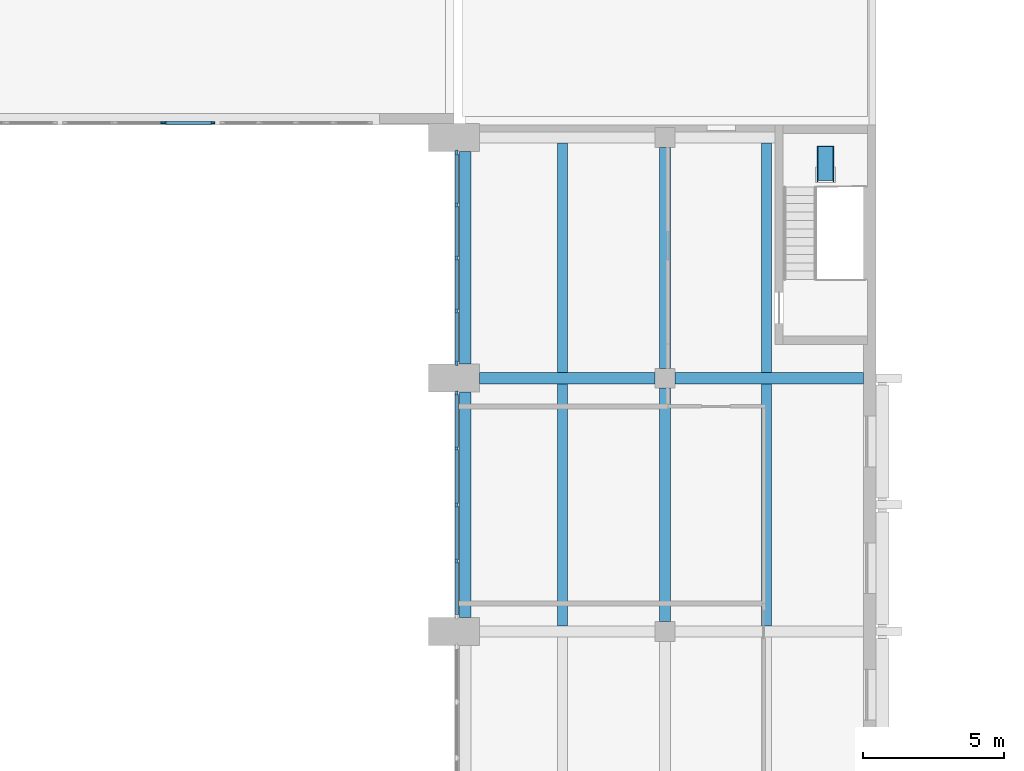
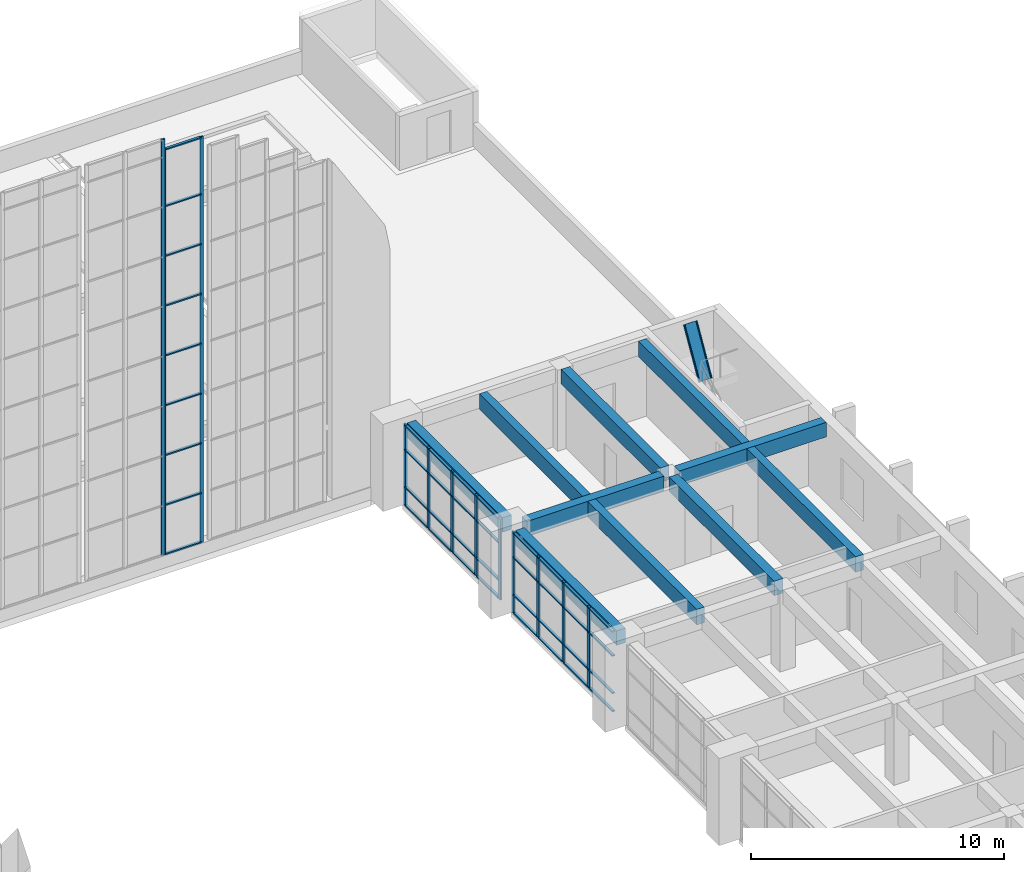
# One storey, part 17 of 43: 54 members, 10 beams, 4 elements without a shape of their own.
"""IFC4 building model written with IfcOpenShell, lengths in metres."""

from ifc_helpers import new_model, si_unit, direction, frame, origin, origin_2d, place, context, subcontext, project, spatial, polyline, rectangle, outline, extrude, material, material_profile, profile_set, type_object, element, aggregate, save


model = new_model("IFC4")

# Units and contexts
model_context = context("Model", 3, precision=1e-05, world=origin(), true_north=direction((0.0, 1.0)))
body_context = subcontext(model_context, "Body", "Model", "MODEL_VIEW")
ifc_project = project(units=[si_unit("LENGTHUNIT", "METRE"), si_unit("AREAUNIT", "SQUARE_METRE"), si_unit("VOLUMEUNIT", "CUBIC_METRE"), si_unit("PLANEANGLEUNIT", "RADIAN"), si_unit("MASSUNIT", "GRAM", prefix="KILO")], contexts=[model_context])

# Site, building, storey
site_placement = place(None, origin())
site = spatial("IfcSite", under=ifc_project, at=site_placement, CompositionType="ELEMENT")
building_placement = place(site_placement, origin())
building = spatial("IfcBuilding", under=site, at=building_placement, Name="Elmora Arch Market Hall", CompositionType="ELEMENT")
storey_placement = place(building_placement, frame((0.0, 0.0, 10.199951171875)))
storey = spatial("IfcBuildingStorey", under=building, at=storey_placement, Name="L02", CompositionType="ELEMENT", Elevation=10.199951171875)

# Curtain wall, member
ifc_material_1 = material(Name="Aluminium", Category="aluminium")
curtain_wall_type_1 = type_object("IfcCurtainWallType", Name="Gable curtain wall", PredefinedType="NOTDEFINED", material=ifc_material_1)
curtain_wall_1_placement = place(storey_placement, origin())
curtain_wall_1 = element("IfcCurtainWall", 1, at=curtain_wall_1_placement, inside=storey, type_object=curtain_wall_type_1, Name="North gable glazing 9", PredefinedType="NOTDEFINED")
ifc_material_2 = material(Name="Aluminium", Category="aluminium")
ifc_material_profile_1 = material_profile(ifc_material_2, rectangle(XDim=0.06005859375, YDim=0.159912109375, at=origin_2d()), Name="AL 60x160")
ifc_profile_set_1 = profile_set([ifc_material_profile_1], Name="Aluminium")
member_type_1 = type_object("IfcMemberType", Name="Mullion 60x160", PredefinedType="MULLION", material=ifc_profile_set_1)
member_1_placement = place(storey_placement, frame((32.6533203125, 99.080078125, 0.60009765625), z_axis=(0.0, 0.0, 1.0), x_axis=(0.0, 1.0, 0.0)))
member_1 = element("IfcMember", 2, at=member_1_placement, type_object=member_type_1, Name="CW8 mullion 2", PredefinedType="MULLION", context=body_context, shape_type="SweptSolid", body=[
    extrude(rectangle(XDim=0.06005859375, YDim=0.159912109375, at=origin_2d()), origin(), (0.0, 0.0, 1.0), 20.050048828125),
])
aggregate(curtain_wall_1, [member_1])

# Curtain wall, members
curtain_wall_2_placement = place(storey_placement, origin())
curtain_wall_2 = element("IfcCurtainWall", 3, at=curtain_wall_2_placement, inside=storey, type_object=curtain_wall_type_1, Name="North gable glazing 10", PredefinedType="NOTDEFINED")
member_2_placement = place(storey_placement, frame((32.71337890625, 99.080078125, 0.60009765625), z_axis=(0.0, 0.0, 1.0), x_axis=(0.0, 1.0, 0.0)))
member_2 = element("IfcMember", 4, at=member_2_placement, type_object=member_type_1, Name="CW8 mullion 1", PredefinedType="MULLION", context=body_context, shape_type="SweptSolid", body=[
    extrude(rectangle(XDim=0.06005859375, YDim=0.159912109375, at=origin_2d()), origin(), (0.0, 0.0, 1.0), 19.557861328125),
])
member_3_placement = place(storey_placement, frame((34.419921875, 99.080078125, 0.60009765625), z_axis=(0.0, 0.0, 1.0), x_axis=(0.0, 1.0, 0.0)))
member_3 = element("IfcMember", 5, at=member_3_placement, type_object=member_type_1, Name="CW8 mullion 2", PredefinedType="MULLION", context=body_context, shape_type="SweptSolid", body=[
    extrude(rectangle(XDim=0.06005859375, YDim=0.159912109375, at=origin_2d()), origin(), (0.0, 0.0, 1.0), 19.557861328125),
])

ifc_material_3 = material(Name="Aluminium", Category="aluminium")
curtain_wall_type_2 = type_object("IfcCurtainWallType", Name="Hall front curtain wall", PredefinedType="NOTDEFINED", material=ifc_material_3)
curtain_wall_3_placement = place(storey_placement, origin())
curtain_wall_3 = element("IfcCurtainWall", 6, at=curtain_wall_3_placement, inside=storey, type_object=curtain_wall_type_2, Name="Wing front E L02 7", PredefinedType="NOTDEFINED")
ifc_material_4 = material(Name="Aluminium", Category="aluminium")
ifc_material_profile_2 = material_profile(ifc_material_4, rectangle(XDim=0.080078125, YDim=0.179931640625, at=origin_2d()), Name="AL 80x180")
ifc_profile_set_2 = profile_set([ifc_material_profile_2], Name="Aluminium")
member_type_2 = type_object("IfcMemberType", Name="Mullion 80x180", PredefinedType="MULLION", material=ifc_profile_set_2)
member_4_placement = place(storey_placement, frame((43.10009765625, 83.5, 0.0), z_axis=(0.0, 0.0, 1.0), x_axis=(-1.0, 0.0, 0.0)))
member_4 = element("IfcMember", 7, at=member_4_placement, type_object=member_type_2, Name="CW2 mullion 2", PredefinedType="MULLION", context=body_context, shape_type="SweptSolid", body=[
    extrude(rectangle(XDim=0.080078125, YDim=0.179931640625, at=origin_2d()), origin(), (0.0, 0.0, 1.0), 3.900146484375),
])
member_5_placement = place(storey_placement, frame((43.10009765625, 85.5, 0.0), z_axis=(0.0, 0.0, 1.0), x_axis=(-1.0, 0.0, 0.0)))
member_5 = element("IfcMember", 8, at=member_5_placement, type_object=member_type_2, Name="CW2 mullion 3", PredefinedType="MULLION", context=body_context, shape_type="SweptSolid", body=[
    extrude(rectangle(XDim=0.080078125, YDim=0.179931640625, at=origin_2d()), origin(), (0.0, 0.0, 1.0), 3.900146484375),
])
member_6_placement = place(storey_placement, frame((43.10009765625, 87.5, 0.0), z_axis=(0.0, 0.0, 1.0), x_axis=(-1.0, 0.0, 0.0)))
member_6 = element("IfcMember", 9, at=member_6_placement, type_object=member_type_2, Name="CW2 mullion 4", PredefinedType="MULLION", context=body_context, shape_type="SweptSolid", body=[
    extrude(rectangle(XDim=0.080078125, YDim=0.179931640625, at=origin_2d()), origin(), (0.0, 0.0, 1.0), 3.900146484375),
])
member_7_placement = place(storey_placement, frame((43.10009765625, 89.4599609375, 0.0), z_axis=(0.0, 0.0, 1.0), x_axis=(-1.0, 0.0, 0.0)))
member_7 = element("IfcMember", 10, at=member_7_placement, type_object=member_type_2, Name="CW2 mullion 5", PredefinedType="MULLION", context=body_context, shape_type="SweptSolid", body=[
    extrude(rectangle(XDim=0.080078125, YDim=0.179931640625, at=origin_2d()), origin(), (0.0, 0.0, 1.0), 3.900146484375),
])

curtain_wall_4_placement = place(storey_placement, origin())
curtain_wall_4 = element("IfcCurtainWall", 11, at=curtain_wall_4_placement, inside=storey, type_object=curtain_wall_type_2, Name="Wing front E L02 8", PredefinedType="NOTDEFINED")
member_8_placement = place(storey_placement, frame((43.10009765625, 90.5400390625, 0.0), z_axis=(0.0, 0.0, 1.0), x_axis=(-1.0, 0.0, 0.0)))
member_8 = element("IfcMember", 12, at=member_8_placement, type_object=member_type_2, Name="CW2 mullion 1", PredefinedType="MULLION", context=body_context, shape_type="SweptSolid", body=[
    extrude(rectangle(XDim=0.080078125, YDim=0.179931640625, at=origin_2d()), origin(), (0.0, 0.0, 1.0), 3.900146484375),
])
member_9_placement = place(storey_placement, frame((43.10009765625, 92.387451171875, 0.0), z_axis=(0.0, 0.0, 1.0), x_axis=(-1.0, 0.0, 0.0)))
member_9 = element("IfcMember", 13, at=member_9_placement, type_object=member_type_2, Name="CW2 mullion 2", PredefinedType="MULLION", context=body_context, shape_type="SweptSolid", body=[
    extrude(rectangle(XDim=0.080078125, YDim=0.179931640625, at=origin_2d()), origin(), (0.0, 0.0, 1.0), 3.900146484375),
])
member_10_placement = place(storey_placement, frame((43.10009765625, 94.27490234375, 0.0), z_axis=(0.0, 0.0, 1.0), x_axis=(-1.0, 0.0, 0.0)))
member_10 = element("IfcMember", 14, at=member_10_placement, type_object=member_type_2, Name="CW2 mullion 3", PredefinedType="MULLION", context=body_context, shape_type="SweptSolid", body=[
    extrude(rectangle(XDim=0.080078125, YDim=0.179931640625, at=origin_2d()), origin(), (0.0, 0.0, 1.0), 3.900146484375),
])
member_11_placement = place(storey_placement, frame((43.10009765625, 96.16259765625, 0.0), z_axis=(0.0, 0.0, 1.0), x_axis=(-1.0, 0.0, 0.0)))
member_11 = element("IfcMember", 15, at=member_11_placement, type_object=member_type_2, Name="CW2 mullion 4", PredefinedType="MULLION", context=body_context, shape_type="SweptSolid", body=[
    extrude(rectangle(XDim=0.080078125, YDim=0.179931640625, at=origin_2d()), origin(), (0.0, 0.0, 1.0), 3.900146484375),
])
member_12_placement = place(storey_placement, frame((43.10009765625, 98.010009765625, 0.0), z_axis=(0.0, 0.0, 1.0), x_axis=(-1.0, 0.0, 0.0)))
member_12 = element("IfcMember", 16, at=member_12_placement, type_object=member_type_2, Name="CW2 mullion 5", PredefinedType="MULLION", context=body_context, shape_type="SweptSolid", body=[
    extrude(rectangle(XDim=0.080078125, YDim=0.179931640625, at=origin_2d()), origin(), (0.0, 0.0, 1.0), 3.900146484375),
])

# Member
ifc_material_5 = material(Name="Steel ASTM A500 Gr C", Category="steel")
ifc_material_profile_3 = material_profile(ifc_material_5, outline(polyline([(-0.300048828125, 0.0), (0.300048828125, 0.0), (0.300048828125, 0.10009765625), (0.260009765625, 0.10009765625), (0.260009765625, 0.02001953125), (-0.260009765625, 0.02001953125), (-0.260009765625, 0.10009765625), (-0.300048828125, 0.10009765625), (-0.300048828125, 0.0)])), Name="Ladder channel 600 x 100")
ifc_profile_set_3 = profile_set([ifc_material_profile_3], Name="Steel ASTM A500 Gr C")
member_type_3 = type_object("IfcMemberType", Name="Roof access ladder 600", PredefinedType="USERDEFINED", material=ifc_profile_set_3)
member_13_placement = place(storey_placement, frame((56.199951171875, 97.050048828125, 2.0), z_axis=(0.0, 0.505154929863, 0.863028676716), x_axis=(-1.0, 0.0, 0.0)))
element("IfcMember", 17, at=member_13_placement, inside=storey, type_object=member_type_3, Name="Roof access ladder ST-EN", ObjectType="ROOF ACCESS LADDER", PredefinedType="USERDEFINED", context=body_context, shape_type="SweptSolid", body=[
    extrude(outline(polyline([(-0.300048828125, 0.0), (0.300048828125, 0.0), (0.300048828125, 0.10009765625), (0.260009765625, 0.10009765625), (0.260009765625, 0.02001953125), (-0.260009765625, 0.02001953125), (-0.260009765625, 0.10009765625), (-0.300048828125, 0.10009765625), (-0.300048828125, 0.0)])), origin(), (0.0, 0.0, 1.0), 2.37548828125),
])

ifc_material_6 = material(Name="Aluminium", Category="aluminium")
ifc_material_profile_4 = material_profile(ifc_material_6, rectangle(XDim=0.1201171875, YDim=0.06005859375, at=origin_2d()), Name="AL 120x60")
ifc_profile_set_4 = profile_set([ifc_material_profile_4], Name="Aluminium")
member_type_4 = type_object("IfcMemberType", Name="Transom 120x60", PredefinedType="USERDEFINED", material=ifc_profile_set_4)
member_14_placement = place(storey_placement, frame((43.10009765625, 81.580078125, 0.030029296875), z_axis=(0.0, 1.0, 0.0), x_axis=(-1.0, 0.0, 0.0)))
member_14 = element("IfcMember", 18, at=member_14_placement, type_object=member_type_4, Name="CW2 transom 1.1", ObjectType="TRANSOM", PredefinedType="USERDEFINED", context=body_context, shape_type="SweptSolid", body=[
    extrude(rectangle(XDim=0.1201171875, YDim=0.06005859375, at=origin_2d()), origin(), (0.0, 0.0, 1.0), 1.8798828125),
])

member_15_placement = place(storey_placement, frame((43.10009765625, 81.580078125, 0.900146484375), z_axis=(0.0, 1.0, 0.0), x_axis=(-1.0, 0.0, 0.0)))
member_15 = element("IfcMember", 19, at=member_15_placement, type_object=member_type_4, Name="CW2 transom 1.2", ObjectType="TRANSOM", PredefinedType="USERDEFINED", context=body_context, shape_type="SweptSolid", body=[
    extrude(rectangle(XDim=0.1201171875, YDim=0.06005859375, at=origin_2d()), origin(), (0.0, 0.0, 1.0), 1.8798828125),
])

member_16_placement = place(storey_placement, frame((43.10009765625, 81.580078125, 2.699951171875), z_axis=(0.0, 1.0, 0.0), x_axis=(-1.0, 0.0, 0.0)))
member_16 = element("IfcMember", 20, at=member_16_placement, type_object=member_type_4, Name="CW2 transom 1.3", ObjectType="TRANSOM", PredefinedType="USERDEFINED", context=body_context, shape_type="SweptSolid", body=[
    extrude(rectangle(XDim=0.1201171875, YDim=0.06005859375, at=origin_2d()), origin(), (0.0, 0.0, 1.0), 1.8798828125),
])

member_17_placement = place(storey_placement, frame((43.10009765625, 81.580078125, 3.8701171875), z_axis=(0.0, 1.0, 0.0), x_axis=(-1.0, 0.0, 0.0)))
member_17 = element("IfcMember", 21, at=member_17_placement, type_object=member_type_4, Name="CW2 transom 1.4", ObjectType="TRANSOM", PredefinedType="USERDEFINED", context=body_context, shape_type="SweptSolid", body=[
    extrude(rectangle(XDim=0.1201171875, YDim=0.06005859375, at=origin_2d()), origin(), (0.0, 0.0, 1.0), 1.8798828125),
])

member_18_placement = place(storey_placement, frame((43.10009765625, 83.5400390625, 0.030029296875), z_axis=(0.0, 1.0, 0.0), x_axis=(-1.0, 0.0, 0.0)))
member_18 = element("IfcMember", 22, at=member_18_placement, type_object=member_type_4, Name="CW2 transom 2.1", ObjectType="TRANSOM", PredefinedType="USERDEFINED", context=body_context, shape_type="SweptSolid", body=[
    extrude(rectangle(XDim=0.1201171875, YDim=0.06005859375, at=origin_2d()), origin(), (0.0, 0.0, 1.0), 1.919921875),
])

member_19_placement = place(storey_placement, frame((43.10009765625, 83.5400390625, 0.900146484375), z_axis=(0.0, 1.0, 0.0), x_axis=(-1.0, 0.0, 0.0)))
member_19 = element("IfcMember", 23, at=member_19_placement, type_object=member_type_4, Name="CW2 transom 2.2", ObjectType="TRANSOM", PredefinedType="USERDEFINED", context=body_context, shape_type="SweptSolid", body=[
    extrude(rectangle(XDim=0.1201171875, YDim=0.06005859375, at=origin_2d()), origin(), (0.0, 0.0, 1.0), 1.919921875),
])

member_20_placement = place(storey_placement, frame((43.10009765625, 83.5400390625, 2.699951171875), z_axis=(0.0, 1.0, 0.0), x_axis=(-1.0, 0.0, 0.0)))
member_20 = element("IfcMember", 24, at=member_20_placement, type_object=member_type_4, Name="CW2 transom 2.3", ObjectType="TRANSOM", PredefinedType="USERDEFINED", context=body_context, shape_type="SweptSolid", body=[
    extrude(rectangle(XDim=0.1201171875, YDim=0.06005859375, at=origin_2d()), origin(), (0.0, 0.0, 1.0), 1.919921875),
])

member_21_placement = place(storey_placement, frame((43.10009765625, 83.5400390625, 3.8701171875), z_axis=(0.0, 1.0, 0.0), x_axis=(-1.0, 0.0, 0.0)))
member_21 = element("IfcMember", 25, at=member_21_placement, type_object=member_type_4, Name="CW2 transom 2.4", ObjectType="TRANSOM", PredefinedType="USERDEFINED", context=body_context, shape_type="SweptSolid", body=[
    extrude(rectangle(XDim=0.1201171875, YDim=0.06005859375, at=origin_2d()), origin(), (0.0, 0.0, 1.0), 1.919921875),
])

member_22_placement = place(storey_placement, frame((43.10009765625, 85.5400390625, 0.030029296875), z_axis=(0.0, 1.0, 0.0), x_axis=(-1.0, 0.0, 0.0)))
member_22 = element("IfcMember", 26, at=member_22_placement, type_object=member_type_4, Name="CW2 transom 3.1", ObjectType="TRANSOM", PredefinedType="USERDEFINED", context=body_context, shape_type="SweptSolid", body=[
    extrude(rectangle(XDim=0.1201171875, YDim=0.06005859375, at=origin_2d()), origin(), (0.0, 0.0, 1.0), 1.919921875),
])

member_23_placement = place(storey_placement, frame((43.10009765625, 85.5400390625, 0.900146484375), z_axis=(0.0, 1.0, 0.0), x_axis=(-1.0, 0.0, 0.0)))
member_23 = element("IfcMember", 27, at=member_23_placement, type_object=member_type_4, Name="CW2 transom 3.2", ObjectType="TRANSOM", PredefinedType="USERDEFINED", context=body_context, shape_type="SweptSolid", body=[
    extrude(rectangle(XDim=0.1201171875, YDim=0.06005859375, at=origin_2d()), origin(), (0.0, 0.0, 1.0), 1.919921875),
])

member_24_placement = place(storey_placement, frame((43.10009765625, 85.5400390625, 2.699951171875), z_axis=(0.0, 1.0, 0.0), x_axis=(-1.0, 0.0, 0.0)))
member_24 = element("IfcMember", 28, at=member_24_placement, type_object=member_type_4, Name="CW2 transom 3.3", ObjectType="TRANSOM", PredefinedType="USERDEFINED", context=body_context, shape_type="SweptSolid", body=[
    extrude(rectangle(XDim=0.1201171875, YDim=0.06005859375, at=origin_2d()), origin(), (0.0, 0.0, 1.0), 1.919921875),
])

member_25_placement = place(storey_placement, frame((43.10009765625, 85.5400390625, 3.8701171875), z_axis=(0.0, 1.0, 0.0), x_axis=(-1.0, 0.0, 0.0)))
member_25 = element("IfcMember", 29, at=member_25_placement, type_object=member_type_4, Name="CW2 transom 3.4", ObjectType="TRANSOM", PredefinedType="USERDEFINED", context=body_context, shape_type="SweptSolid", body=[
    extrude(rectangle(XDim=0.1201171875, YDim=0.06005859375, at=origin_2d()), origin(), (0.0, 0.0, 1.0), 1.919921875),
])

member_26_placement = place(storey_placement, frame((43.10009765625, 87.5400390625, 0.030029296875), z_axis=(0.0, 1.0, 0.0), x_axis=(-1.0, 0.0, 0.0)))
member_26 = element("IfcMember", 30, at=member_26_placement, type_object=member_type_4, Name="CW2 transom 4.1", ObjectType="TRANSOM", PredefinedType="USERDEFINED", context=body_context, shape_type="SweptSolid", body=[
    extrude(rectangle(XDim=0.1201171875, YDim=0.06005859375, at=origin_2d()), origin(), (0.0, 0.0, 1.0), 1.8798828125),
])

member_27_placement = place(storey_placement, frame((43.10009765625, 87.5400390625, 0.900146484375), z_axis=(0.0, 1.0, 0.0), x_axis=(-1.0, 0.0, 0.0)))
member_27 = element("IfcMember", 31, at=member_27_placement, type_object=member_type_4, Name="CW2 transom 4.2", ObjectType="TRANSOM", PredefinedType="USERDEFINED", context=body_context, shape_type="SweptSolid", body=[
    extrude(rectangle(XDim=0.1201171875, YDim=0.06005859375, at=origin_2d()), origin(), (0.0, 0.0, 1.0), 1.8798828125),
])

member_28_placement = place(storey_placement, frame((43.10009765625, 87.5400390625, 2.699951171875), z_axis=(0.0, 1.0, 0.0), x_axis=(-1.0, 0.0, 0.0)))
member_28 = element("IfcMember", 32, at=member_28_placement, type_object=member_type_4, Name="CW2 transom 4.3", ObjectType="TRANSOM", PredefinedType="USERDEFINED", context=body_context, shape_type="SweptSolid", body=[
    extrude(rectangle(XDim=0.1201171875, YDim=0.06005859375, at=origin_2d()), origin(), (0.0, 0.0, 1.0), 1.8798828125),
])

member_29_placement = place(storey_placement, frame((43.10009765625, 87.5400390625, 3.8701171875), z_axis=(0.0, 1.0, 0.0), x_axis=(-1.0, 0.0, 0.0)))
member_29 = element("IfcMember", 33, at=member_29_placement, type_object=member_type_4, Name="CW2 transom 4.4", ObjectType="TRANSOM", PredefinedType="USERDEFINED", context=body_context, shape_type="SweptSolid", body=[
    extrude(rectangle(XDim=0.1201171875, YDim=0.06005859375, at=origin_2d()), origin(), (0.0, 0.0, 1.0), 1.8798828125),
])

aggregate(curtain_wall_3, [member_4, member_5, member_6, member_7, member_14, member_15, member_16, member_17, member_18, member_19, member_20, member_21, member_22, member_23, member_24, member_25, member_26, member_27, member_28, member_29])

member_30_placement = place(storey_placement, frame((43.10009765625, 90.580078125, 0.030029296875), z_axis=(0.0, 1.0, 0.0), x_axis=(-1.0, 0.0, 0.0)))
member_30 = element("IfcMember", 34, at=member_30_placement, type_object=member_type_4, Name="CW2 transom 1.1", ObjectType="TRANSOM", PredefinedType="USERDEFINED", context=body_context, shape_type="SweptSolid", body=[
    extrude(rectangle(XDim=0.1201171875, YDim=0.06005859375, at=origin_2d()), origin(), (0.0, 0.0, 1.0), 1.767333984375),
])

member_31_placement = place(storey_placement, frame((43.10009765625, 90.580078125, 0.900146484375), z_axis=(0.0, 1.0, 0.0), x_axis=(-1.0, 0.0, 0.0)))
member_31 = element("IfcMember", 35, at=member_31_placement, type_object=member_type_4, Name="CW2 transom 1.2", ObjectType="TRANSOM", PredefinedType="USERDEFINED", context=body_context, shape_type="SweptSolid", body=[
    extrude(rectangle(XDim=0.1201171875, YDim=0.06005859375, at=origin_2d()), origin(), (0.0, 0.0, 1.0), 1.767333984375),
])

member_32_placement = place(storey_placement, frame((43.10009765625, 90.580078125, 2.699951171875), z_axis=(0.0, 1.0, 0.0), x_axis=(-1.0, 0.0, 0.0)))
member_32 = element("IfcMember", 36, at=member_32_placement, type_object=member_type_4, Name="CW2 transom 1.3", ObjectType="TRANSOM", PredefinedType="USERDEFINED", context=body_context, shape_type="SweptSolid", body=[
    extrude(rectangle(XDim=0.1201171875, YDim=0.06005859375, at=origin_2d()), origin(), (0.0, 0.0, 1.0), 1.767333984375),
])

member_33_placement = place(storey_placement, frame((43.10009765625, 90.580078125, 3.8701171875), z_axis=(0.0, 1.0, 0.0), x_axis=(-1.0, 0.0, 0.0)))
member_33 = element("IfcMember", 37, at=member_33_placement, type_object=member_type_4, Name="CW2 transom 1.4", ObjectType="TRANSOM", PredefinedType="USERDEFINED", context=body_context, shape_type="SweptSolid", body=[
    extrude(rectangle(XDim=0.1201171875, YDim=0.06005859375, at=origin_2d()), origin(), (0.0, 0.0, 1.0), 1.767333984375),
])

member_34_placement = place(storey_placement, frame((43.10009765625, 92.427490234375, 0.030029296875), z_axis=(0.0, 1.0, 0.0), x_axis=(-1.0, 0.0, 0.0)))
member_34 = element("IfcMember", 38, at=member_34_placement, type_object=member_type_4, Name="CW2 transom 2.1", ObjectType="TRANSOM", PredefinedType="USERDEFINED", context=body_context, shape_type="SweptSolid", body=[
    extrude(rectangle(XDim=0.1201171875, YDim=0.06005859375, at=origin_2d()), origin(), (0.0, 0.0, 1.0), 1.8076171875),
])

member_35_placement = place(storey_placement, frame((43.10009765625, 92.427490234375, 0.900146484375), z_axis=(0.0, 1.0, 0.0), x_axis=(-1.0, 0.0, 0.0)))
member_35 = element("IfcMember", 39, at=member_35_placement, type_object=member_type_4, Name="CW2 transom 2.2", ObjectType="TRANSOM", PredefinedType="USERDEFINED", context=body_context, shape_type="SweptSolid", body=[
    extrude(rectangle(XDim=0.1201171875, YDim=0.06005859375, at=origin_2d()), origin(), (0.0, 0.0, 1.0), 1.8076171875),
])

member_36_placement = place(storey_placement, frame((43.10009765625, 92.427490234375, 2.699951171875), z_axis=(0.0, 1.0, 0.0), x_axis=(-1.0, 0.0, 0.0)))
member_36 = element("IfcMember", 40, at=member_36_placement, type_object=member_type_4, Name="CW2 transom 2.3", ObjectType="TRANSOM", PredefinedType="USERDEFINED", context=body_context, shape_type="SweptSolid", body=[
    extrude(rectangle(XDim=0.1201171875, YDim=0.06005859375, at=origin_2d()), origin(), (0.0, 0.0, 1.0), 1.8076171875),
])

member_37_placement = place(storey_placement, frame((43.10009765625, 92.427490234375, 3.8701171875), z_axis=(0.0, 1.0, 0.0), x_axis=(-1.0, 0.0, 0.0)))
member_37 = element("IfcMember", 41, at=member_37_placement, type_object=member_type_4, Name="CW2 transom 2.4", ObjectType="TRANSOM", PredefinedType="USERDEFINED", context=body_context, shape_type="SweptSolid", body=[
    extrude(rectangle(XDim=0.1201171875, YDim=0.06005859375, at=origin_2d()), origin(), (0.0, 0.0, 1.0), 1.8076171875),
])

member_38_placement = place(storey_placement, frame((43.10009765625, 94.31494140625, 0.030029296875), z_axis=(0.0, 1.0, 0.0), x_axis=(-1.0, 0.0, 0.0)))
member_38 = element("IfcMember", 42, at=member_38_placement, type_object=member_type_4, Name="CW2 transom 3.1", ObjectType="TRANSOM", PredefinedType="USERDEFINED", context=body_context, shape_type="SweptSolid", body=[
    extrude(rectangle(XDim=0.1201171875, YDim=0.06005859375, at=origin_2d()), origin(), (0.0, 0.0, 1.0), 1.8076171875),
])

member_39_placement = place(storey_placement, frame((43.10009765625, 94.31494140625, 0.900146484375), z_axis=(0.0, 1.0, 0.0), x_axis=(-1.0, 0.0, 0.0)))
member_39 = element("IfcMember", 43, at=member_39_placement, type_object=member_type_4, Name="CW2 transom 3.2", ObjectType="TRANSOM", PredefinedType="USERDEFINED", context=body_context, shape_type="SweptSolid", body=[
    extrude(rectangle(XDim=0.1201171875, YDim=0.06005859375, at=origin_2d()), origin(), (0.0, 0.0, 1.0), 1.8076171875),
])

member_40_placement = place(storey_placement, frame((43.10009765625, 94.31494140625, 2.699951171875), z_axis=(0.0, 1.0, 0.0), x_axis=(-1.0, 0.0, 0.0)))
member_40 = element("IfcMember", 44, at=member_40_placement, type_object=member_type_4, Name="CW2 transom 3.3", ObjectType="TRANSOM", PredefinedType="USERDEFINED", context=body_context, shape_type="SweptSolid", body=[
    extrude(rectangle(XDim=0.1201171875, YDim=0.06005859375, at=origin_2d()), origin(), (0.0, 0.0, 1.0), 1.8076171875),
])

member_41_placement = place(storey_placement, frame((43.10009765625, 94.31494140625, 3.8701171875), z_axis=(0.0, 1.0, 0.0), x_axis=(-1.0, 0.0, 0.0)))
member_41 = element("IfcMember", 45, at=member_41_placement, type_object=member_type_4, Name="CW2 transom 3.4", ObjectType="TRANSOM", PredefinedType="USERDEFINED", context=body_context, shape_type="SweptSolid", body=[
    extrude(rectangle(XDim=0.1201171875, YDim=0.06005859375, at=origin_2d()), origin(), (0.0, 0.0, 1.0), 1.8076171875),
])

member_42_placement = place(storey_placement, frame((43.10009765625, 96.202392578125, 0.030029296875), z_axis=(0.0, 1.0, 0.0), x_axis=(-1.0, 0.0, 0.0)))
member_42 = element("IfcMember", 46, at=member_42_placement, type_object=member_type_4, Name="CW2 transom 4.1", ObjectType="TRANSOM", PredefinedType="USERDEFINED", context=body_context, shape_type="SweptSolid", body=[
    extrude(rectangle(XDim=0.1201171875, YDim=0.06005859375, at=origin_2d()), origin(), (0.0, 0.0, 1.0), 1.767578125),
])

member_43_placement = place(storey_placement, frame((43.10009765625, 96.202392578125, 0.900146484375), z_axis=(0.0, 1.0, 0.0), x_axis=(-1.0, 0.0, 0.0)))
member_43 = element("IfcMember", 47, at=member_43_placement, type_object=member_type_4, Name="CW2 transom 4.2", ObjectType="TRANSOM", PredefinedType="USERDEFINED", context=body_context, shape_type="SweptSolid", body=[
    extrude(rectangle(XDim=0.1201171875, YDim=0.06005859375, at=origin_2d()), origin(), (0.0, 0.0, 1.0), 1.767578125),
])

member_44_placement = place(storey_placement, frame((43.10009765625, 96.202392578125, 2.699951171875), z_axis=(0.0, 1.0, 0.0), x_axis=(-1.0, 0.0, 0.0)))
member_44 = element("IfcMember", 48, at=member_44_placement, type_object=member_type_4, Name="CW2 transom 4.3", ObjectType="TRANSOM", PredefinedType="USERDEFINED", context=body_context, shape_type="SweptSolid", body=[
    extrude(rectangle(XDim=0.1201171875, YDim=0.06005859375, at=origin_2d()), origin(), (0.0, 0.0, 1.0), 1.767578125),
])

member_45_placement = place(storey_placement, frame((43.10009765625, 96.202392578125, 3.8701171875), z_axis=(0.0, 1.0, 0.0), x_axis=(-1.0, 0.0, 0.0)))
member_45 = element("IfcMember", 49, at=member_45_placement, type_object=member_type_4, Name="CW2 transom 4.4", ObjectType="TRANSOM", PredefinedType="USERDEFINED", context=body_context, shape_type="SweptSolid", body=[
    extrude(rectangle(XDim=0.1201171875, YDim=0.06005859375, at=origin_2d()), origin(), (0.0, 0.0, 1.0), 1.767578125),
])

aggregate(curtain_wall_4, [member_8, member_9, member_10, member_11, member_12, member_30, member_31, member_32, member_33, member_34, member_35, member_36, member_37, member_38, member_39, member_40, member_41, member_42, member_43, member_44, member_45])

member_46_placement = place(storey_placement, frame((32.743408203125, 99.080078125, 0.630126953125), z_axis=(1.0, 0.0, 0.0), x_axis=(0.0, 1.0, 0.0)))
member_46 = element("IfcMember", 50, at=member_46_placement, type_object=member_type_4, Name="CW8 transom 1.1", ObjectType="TRANSOM", PredefinedType="USERDEFINED", context=body_context, shape_type="SweptSolid", body=[
    extrude(rectangle(XDim=0.1201171875, YDim=0.06005859375, at=origin_2d()), origin(), (0.0, 0.0, 1.0), 1.646484375),
])

member_47_placement = place(storey_placement, frame((32.743408203125, 99.080078125, 3.0), z_axis=(1.0, 0.0, 0.0), x_axis=(0.0, 1.0, 0.0)))
member_47 = element("IfcMember", 51, at=member_47_placement, type_object=member_type_4, Name="CW8 transom 1.2", ObjectType="TRANSOM", PredefinedType="USERDEFINED", context=body_context, shape_type="SweptSolid", body=[
    extrude(rectangle(XDim=0.1201171875, YDim=0.06005859375, at=origin_2d()), origin(), (0.0, 0.0, 1.0), 1.646484375),
])

member_48_placement = place(storey_placement, frame((32.743408203125, 99.080078125, 5.400146484375), z_axis=(1.0, 0.0, 0.0), x_axis=(0.0, 1.0, 0.0)))
member_48 = element("IfcMember", 52, at=member_48_placement, type_object=member_type_4, Name="CW8 transom 1.3", ObjectType="TRANSOM", PredefinedType="USERDEFINED", context=body_context, shape_type="SweptSolid", body=[
    extrude(rectangle(XDim=0.1201171875, YDim=0.06005859375, at=origin_2d()), origin(), (0.0, 0.0, 1.0), 1.646484375),
])

member_49_placement = place(storey_placement, frame((32.743408203125, 99.080078125, 7.800048828125), z_axis=(1.0, 0.0, 0.0), x_axis=(0.0, 1.0, 0.0)))
member_49 = element("IfcMember", 53, at=member_49_placement, type_object=member_type_4, Name="CW8 transom 1.4", ObjectType="TRANSOM", PredefinedType="USERDEFINED", context=body_context, shape_type="SweptSolid", body=[
    extrude(rectangle(XDim=0.1201171875, YDim=0.06005859375, at=origin_2d()), origin(), (0.0, 0.0, 1.0), 1.646484375),
])

member_50_placement = place(storey_placement, frame((32.743408203125, 99.080078125, 10.199951171875), z_axis=(1.0, 0.0, 0.0), x_axis=(0.0, 1.0, 0.0)))
member_50 = element("IfcMember", 54, at=member_50_placement, type_object=member_type_4, Name="CW8 transom 1.5", ObjectType="TRANSOM", PredefinedType="USERDEFINED", context=body_context, shape_type="SweptSolid", body=[
    extrude(rectangle(XDim=0.1201171875, YDim=0.06005859375, at=origin_2d()), origin(), (0.0, 0.0, 1.0), 1.646484375),
])

member_51_placement = place(storey_placement, frame((32.743408203125, 99.080078125, 12.60009765625), z_axis=(1.0, 0.0, 0.0), x_axis=(0.0, 1.0, 0.0)))
member_51 = element("IfcMember", 55, at=member_51_placement, type_object=member_type_4, Name="CW8 transom 1.6", ObjectType="TRANSOM", PredefinedType="USERDEFINED", context=body_context, shape_type="SweptSolid", body=[
    extrude(rectangle(XDim=0.1201171875, YDim=0.06005859375, at=origin_2d()), origin(), (0.0, 0.0, 1.0), 1.646484375),
])

member_52_placement = place(storey_placement, frame((32.743408203125, 99.080078125, 15.0), z_axis=(1.0, 0.0, 0.0), x_axis=(0.0, 1.0, 0.0)))
member_52 = element("IfcMember", 56, at=member_52_placement, type_object=member_type_4, Name="CW8 transom 1.7", ObjectType="TRANSOM", PredefinedType="USERDEFINED", context=body_context, shape_type="SweptSolid", body=[
    extrude(rectangle(XDim=0.1201171875, YDim=0.06005859375, at=origin_2d()), origin(), (0.0, 0.0, 1.0), 1.646484375),
])

member_53_placement = place(storey_placement, frame((32.743408203125, 99.080078125, 17.400146484375), z_axis=(1.0, 0.0, 0.0), x_axis=(0.0, 1.0, 0.0)))
member_53 = element("IfcMember", 57, at=member_53_placement, type_object=member_type_4, Name="CW8 transom 1.8", ObjectType="TRANSOM", PredefinedType="USERDEFINED", context=body_context, shape_type="SweptSolid", body=[
    extrude(rectangle(XDim=0.1201171875, YDim=0.06005859375, at=origin_2d()), origin(), (0.0, 0.0, 1.0), 1.646484375),
])

member_54_placement = place(storey_placement, frame((32.743408203125, 99.080078125, 20.1279296875), z_axis=(1.0, 0.0, 0.0), x_axis=(0.0, 1.0, 0.0)))
member_54 = element("IfcMember", 58, at=member_54_placement, type_object=member_type_4, Name="CW8 transom 1.9", ObjectType="TRANSOM", PredefinedType="USERDEFINED", context=body_context, shape_type="SweptSolid", body=[
    extrude(rectangle(XDim=0.1201171875, YDim=0.06005859375, at=origin_2d()), origin(), (0.0, 0.0, 1.0), 1.646484375),
])

aggregate(curtain_wall_2, [member_2, member_3, member_46, member_47, member_48, member_49, member_50, member_51, member_52, member_53, member_54])

# Beams
ifc_material_7 = material(Name="Concrete C32/40", Category="concrete")
ifc_material_profile_5 = material_profile(ifc_material_7, rectangle(XDim=0.39990234375, YDim=0.699951171875, at=origin_2d()), Name="Wing beam 400x700")
ifc_profile_set_5 = profile_set([ifc_material_profile_5], Name="Concrete C32/40")
beam_type_1 = type_object("IfcBeamType", Name="Wing beam 400x700", PredefinedType="BEAM", material=ifc_profile_set_5)
beam_1_placement = place(storey_placement, frame((43.89990234375, 90.0, 3.550048828125), z_axis=(1.0, 0.0, 0.0), x_axis=(0.0, 1.0, 0.0)))
element("IfcBeam", 59, at=beam_1_placement, inside=storey, type_object=beam_type_1, Name="Wing beam ER8 L02.1", PredefinedType="BEAM", context=body_context, shape_type="SweptSolid", body=[
    extrude(rectangle(XDim=0.39990234375, YDim=0.699951171875, at=origin_2d()), origin(), (0.0, 0.0, 1.0), 6.25),
])
beam_2_placement = place(storey_placement, frame((50.85009765625, 90.0, 3.550048828125), z_axis=(1.0, 0.0, 0.0), x_axis=(0.0, 1.0, 0.0)))
element("IfcBeam", 60, at=beam_2_placement, inside=storey, type_object=beam_type_1, Name="Wing beam ER8 L02.2", PredefinedType="BEAM", context=body_context, shape_type="SweptSolid", body=[
    extrude(rectangle(XDim=0.39990234375, YDim=0.699951171875, at=origin_2d()), origin(), (0.0, 0.0, 1.0), 6.699951171875),
])
beam_3_placement = place(storey_placement, frame((50.5, 81.35009765625, 3.550048828125), z_axis=(0.0, 1.0, 0.0), x_axis=(-1.0, 0.0, 0.0)))
element("IfcBeam", 61, at=beam_3_placement, inside=storey, type_object=beam_type_1, Name="Wing beam EG L02.7", PredefinedType="BEAM", context=body_context, shape_type="SweptSolid", body=[
    extrude(rectangle(XDim=0.39990234375, YDim=0.699951171875, at=origin_2d()), origin(), (0.0, 0.0, 1.0), 8.2998046875),
])
beam_4_placement = place(storey_placement, frame((50.5, 90.35009765625, 3.550048828125), z_axis=(0.0, 1.0, 0.0), x_axis=(-1.0, 0.0, 0.0)))
element("IfcBeam", 62, at=beam_4_placement, inside=storey, type_object=beam_type_1, Name="Wing beam EG L02.8", PredefinedType="BEAM", context=body_context, shape_type="SweptSolid", body=[
    extrude(rectangle(XDim=0.39990234375, YDim=0.699951171875, at=origin_2d()), origin(), (0.0, 0.0, 1.0), 7.849853515625),
])
beam_5_placement = place(storey_placement, frame((43.39990234375, 81.5, 3.550048828125), z_axis=(0.0, 1.0, 0.0), x_axis=(-1.0, 0.0, 0.0)))
element("IfcBeam", 63, at=beam_5_placement, inside=storey, type_object=beam_type_1, Name="Wing beam EEB L02.7", PredefinedType="BEAM", context=body_context, shape_type="SweptSolid", body=[
    extrude(rectangle(XDim=0.39990234375, YDim=0.699951171875, at=origin_2d()), origin(), (0.0, 0.0, 1.0), 8.0),
])
beam_6_placement = place(storey_placement, frame((43.39990234375, 90.5, 3.550048828125), z_axis=(0.0, 1.0, 0.0), x_axis=(-1.0, 0.0, 0.0)))
element("IfcBeam", 64, at=beam_6_placement, inside=storey, type_object=beam_type_1, Name="Wing beam EEB L02.8", PredefinedType="BEAM", context=body_context, shape_type="SweptSolid", body=[
    extrude(rectangle(XDim=0.39990234375, YDim=0.699951171875, at=origin_2d()), origin(), (0.0, 0.0, 1.0), 7.550048828125),
])
ifc_material_8 = material(Name="Concrete C32/40", Category="concrete")
ifc_material_profile_6 = material_profile(ifc_material_8, rectangle(XDim=0.35009765625, YDim=0.75, at=origin_2d()), Name="Wing joist 350x750")
ifc_profile_set_6 = profile_set([ifc_material_profile_6], Name="Concrete C32/40")
beam_type_2 = type_object("IfcBeamType", Name="Wing joist 350x750", PredefinedType="JOIST", material=ifc_profile_set_6)
beam_7_placement = place(storey_placement, frame((46.85009765625, 81.199951171875, 3.525146484375), z_axis=(0.0, 1.0, 0.0), x_axis=(-1.0, 0.0, 0.0)))
element("IfcBeam", 65, at=beam_7_placement, inside=storey, type_object=beam_type_2, Name="Wing joist EJ1 L02.7", PredefinedType="JOIST", context=body_context, shape_type="SweptSolid", body=[
    extrude(rectangle(XDim=0.35009765625, YDim=0.75, at=origin_2d()), origin(), (0.0, 0.0, 1.0), 8.60009765625),
])
beam_8_placement = place(storey_placement, frame((46.85009765625, 90.199951171875, 3.525146484375), z_axis=(0.0, 1.0, 0.0), x_axis=(-1.0, 0.0, 0.0)))
element("IfcBeam", 66, at=beam_8_placement, inside=storey, type_object=beam_type_2, Name="Wing joist EJ1 L02.8", PredefinedType="JOIST", context=body_context, shape_type="SweptSolid", body=[
    extrude(rectangle(XDim=0.35009765625, YDim=0.75, at=origin_2d()), origin(), (0.0, 0.0, 1.0), 8.150146484375),
])
beam_9_placement = place(storey_placement, frame((54.10009765625, 81.199951171875, 3.525146484375), z_axis=(0.0, 1.0, 0.0), x_axis=(-1.0, 0.0, 0.0)))
element("IfcBeam", 67, at=beam_9_placement, inside=storey, type_object=beam_type_2, Name="Wing joist EJ2 L02.7", PredefinedType="JOIST", context=body_context, shape_type="SweptSolid", body=[
    extrude(rectangle(XDim=0.35009765625, YDim=0.75, at=origin_2d()), origin(), (0.0, 0.0, 1.0), 8.60009765625),
])
beam_10_placement = place(storey_placement, frame((54.10009765625, 90.199951171875, 3.525146484375), z_axis=(0.0, 1.0, 0.0), x_axis=(-1.0, 0.0, 0.0)))
element("IfcBeam", 68, at=beam_10_placement, inside=storey, type_object=beam_type_2, Name="Wing joist EJ2 L02.8", PredefinedType="JOIST", context=body_context, shape_type="SweptSolid", body=[
    extrude(rectangle(XDim=0.35009765625, YDim=0.75, at=origin_2d()), origin(), (0.0, 0.0, 1.0), 8.150146484375),
])

save(model, "model.ifc")
